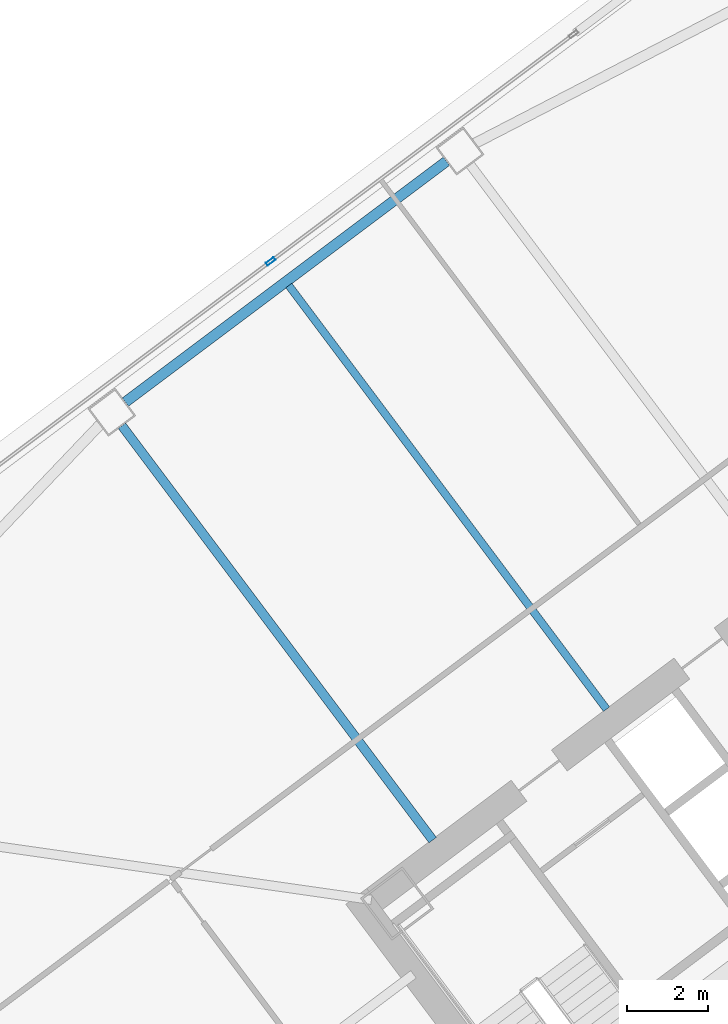
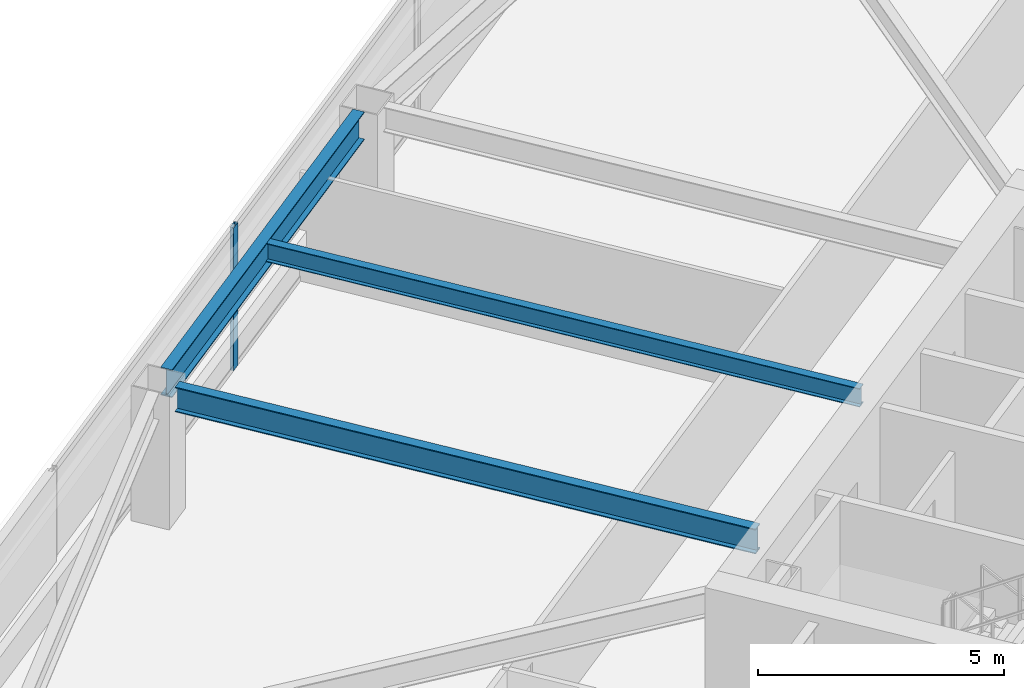
# One storey, part 31 of 51: 3 beams, 1 member, 1 element without a shape of its own.
"""IFC4 building model written with IfcOpenShell, lengths in metres."""

from ifc_helpers import new_model, si_unit, direction, frame, origin, origin_2d, place, context, subcontext, project, spatial, hollow_rectangle, i_section, extrude, material, material_profile, profile_set, type_object, element, aggregate, save


model = new_model("IFC4")

# Units and contexts
model_context = context("Model", 3, precision=1e-05, world=origin(), true_north=direction((0.0, 1.0)))
body_context = subcontext(model_context, "Body", "Model", "MODEL_VIEW")
ifc_project = project(units=[si_unit("LENGTHUNIT", "METRE"), si_unit("AREAUNIT", "SQUARE_METRE"), si_unit("VOLUMEUNIT", "CUBIC_METRE"), si_unit("PLANEANGLEUNIT", "RADIAN"), si_unit("MASSUNIT", "GRAM", prefix="KILO")], contexts=[model_context])

# Site, building, storey
site_placement = place(None, origin())
site = spatial("IfcSite", under=ifc_project, at=site_placement, CompositionType="ELEMENT")
building_placement = place(site_placement, origin())
building = spatial("IfcBuilding", under=site, at=building_placement, Name="Tashvorn Skyway Center", CompositionType="ELEMENT")
storey_placement = place(building_placement, frame((0.0, 0.0, 49.449951171875)))
storey = spatial("IfcBuildingStorey", under=building, at=storey_placement, Name="L12", CompositionType="ELEMENT", Elevation=49.449951171875)

# Beams
ifc_material_1 = material(Name="Steel ASTM A992 Grade 50", Category="steel")
ifc_material_profile_1 = material_profile(ifc_material_1, i_section(OverallWidth=0.22998046875, OverallDepth=0.616943359375, WebThickness=0.01318359375, FlangeThickness=0.022216796875, at=origin_2d()), Name="W24X94")
ifc_profile_set_1 = profile_set([ifc_material_profile_1], Name="Steel ASTM A992 Grade 50")
beam_type_1 = type_object("IfcBeamType", Name="BM-BEAM-W24X94", PredefinedType="BEAM", material=ifc_profile_set_1)
beam_1_placement = place(storey_placement, frame((97.302001953125, 45.263916015625, 3.04150390625), z_axis=(0.599996960112, -0.800002279907, 0.0), x_axis=(0.800002279907, 0.599996960112, 0.0)))
element("IfcBeam", 1, at=beam_1_placement, inside=storey, type_object=beam_type_1, Name="Tower 2 L12 Primary Floor Girder FC-N2", PredefinedType="BEAM", context=body_context, shape_type="SweptSolid", body=[
    extrude(i_section(OverallWidth=0.22998046875, OverallDepth=0.616943359375, WebThickness=0.01318359375, FlangeThickness=0.022216796875, at=origin_2d()), origin(), (0.0, 0.0, 1.0), 12.85009765625),
])
ifc_material_profile_2 = material_profile(ifc_material_1, i_section(OverallWidth=0.19091796875, OverallDepth=0.4599609375, WebThickness=0.010009765625, FlangeThickness=0.01611328125, at=origin_2d()), Name="W18X55")
ifc_profile_set_2 = profile_set([ifc_material_profile_2], Name="Steel ASTM A992 Grade 50")
beam_type_2 = type_object("IfcBeamType", Name="BM-JOIST-W18X55", PredefinedType="JOIST", material=ifc_profile_set_2)
beam_2_placement = place(storey_placement, frame((109.325927734375, 38.23193359375, 3.1201171875), z_axis=(-0.600002972791, 0.799997770398, 0.0), x_axis=(-0.799997770398, -0.600002972791, 0.0)))
element("IfcBeam", 2, at=beam_2_placement, inside=storey, type_object=beam_type_2, Name="Tower 2 L12 Secondary Composite Joist JN", PredefinedType="JOIST", context=body_context, shape_type="SweptSolid", body=[
    extrude(i_section(OverallWidth=0.19091796875, OverallDepth=0.4599609375, WebThickness=0.010009765625, FlangeThickness=0.01611328125, at=origin_2d()), origin(), (0.0, 0.0, 1.0), 13.139892578125),
])
ifc_material_profile_3 = material_profile(ifc_material_1, i_section(OverallWidth=0.256103515625, OverallDepth=0.693115234375, WebThickness=0.014404296875, FlangeThickness=0.023681640625, at=origin_2d()), Name="W27X114")
ifc_profile_set_3 = profile_set([ifc_material_profile_3], Name="Steel ASTM A992 Grade 50")
beam_type_3 = type_object("IfcBeamType", Name="BM-SPANDREL-W27X114", PredefinedType="SPANDREL", material=ifc_profile_set_3)
beam_3_placement = place(storey_placement, frame((105.35400390625, 51.827880859375, 3.003662109375), z_axis=(-0.800008824351, -0.599988234018, 0.0), x_axis=(0.599988234018, -0.800008824351, 0.0)))
element("IfcBeam", 3, at=beam_3_placement, inside=storey, type_object=beam_type_3, Name="Tower 2 L12 Spandrel Beam 08", PredefinedType="SPANDREL", context=body_context, shape_type="SweptSolid", body=[
    extrude(i_section(OverallWidth=0.256103515625, OverallDepth=0.693115234375, WebThickness=0.014404296875, FlangeThickness=0.023681640625, at=origin_2d()), origin(), (0.0, 0.0, 1.0), 9.9599609375),
])

# Curtain wall, member
ifc_material_2 = material(Name="Thermally broken bronze-anodized aluminium 6063-T6", Category="aluminium")
curtain_wall_type = type_object("IfcCurtainWallType", Name="CW-CW-Z1", PredefinedType="NOTDEFINED", material=ifc_material_2)
curtain_wall_placement = place(storey_placement, origin())
curtain_wall = element("IfcCurtainWall", 4, at=curtain_wall_placement, inside=storey, type_object=curtain_wall_type, Name="Tower 2 L12 North Unitised Curtain Wall Glazing Group 2", PredefinedType="NOTDEFINED")
ifc_material_profile_4 = material_profile(ifc_material_2, hollow_rectangle(XDim=0.0849609375, YDim=0.239990234375, WallThickness=0.0048828125, at=origin_2d()), Name="ALU-MULL-85x240")
ifc_profile_set_4 = profile_set([ifc_material_profile_4], Name="Thermally broken bronze-anodized aluminium 6063-T6")
member_type = type_object("IfcMemberType", Name="CWM-CW-Z1", PredefinedType="MULLION", material=ifc_profile_set_4)
member_placement = place(storey_placement, frame((100.991943359375, 49.343994140625, 0.0), z_axis=(0.0, 0.0, 1.0), x_axis=(-0.600000000002, 0.799999999998, 0.0)))
member = element("IfcMember", 5, at=member_placement, type_object=member_type, Name="CW-Z1 mullion 2", PredefinedType="MULLION", context=body_context, shape_type="SweptSolid", body=[
    extrude(hollow_rectangle(XDim=0.0849609375, YDim=0.239990234375, WallThickness=0.0048828125, at=origin_2d()), origin(), (0.0, 0.0, 1.0), 3.550048828125),
])
aggregate(curtain_wall, [member])

save(model, "model.ifc")
